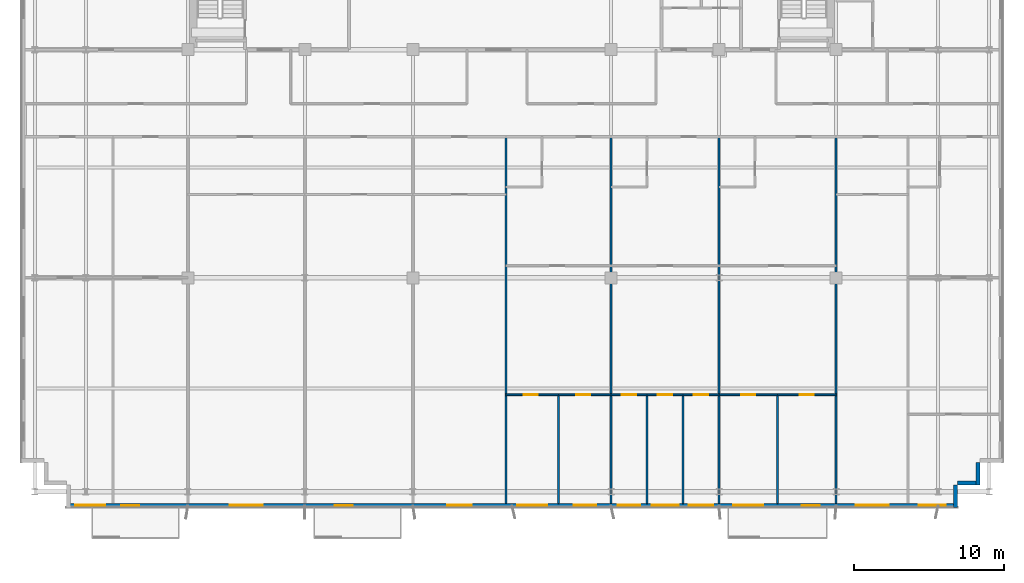
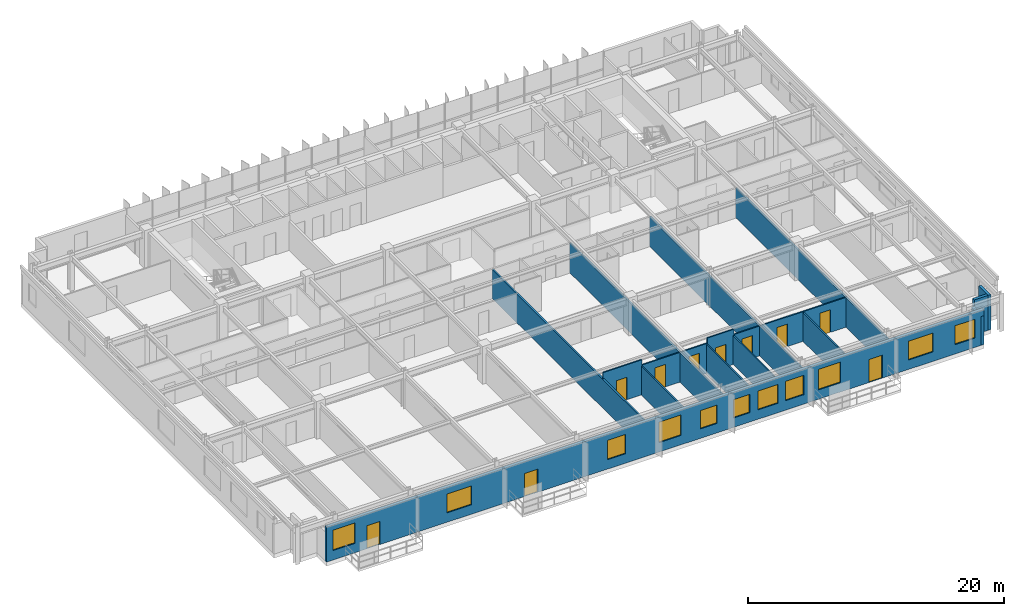
# One storey, part 15 of 22: 19 walls, 11 windows, 10 doors, 21 openings.
"""IFC4 building model written with IfcOpenShell, lengths in metres."""

from ifc_helpers import new_model, si_unit, direction, frame, frame_2d, origin, place, context, subcontext, project, spatial, rectangle, extrude, source, transform, mapped, material, layer, layer_set, type_object, element, fill, save


model = new_model("IFC4")

# Units and contexts
model_context = context("Model", 3, precision=1e-05, world=origin(), true_north=direction((0.0, 1.0)))
body_context = subcontext(model_context, "Body", "Model", "MODEL_VIEW")
ifc_project = project(units=[si_unit("LENGTHUNIT", "METRE"), si_unit("AREAUNIT", "SQUARE_METRE"), si_unit("VOLUMEUNIT", "CUBIC_METRE"), si_unit("PLANEANGLEUNIT", "RADIAN"), si_unit("MASSUNIT", "GRAM", prefix="KILO")], contexts=[model_context])

# Site, building, storey
site_placement = place(None, origin())
site = spatial("IfcSite", under=ifc_project, at=site_placement, CompositionType="ELEMENT")
building_placement = place(site_placement, origin())
building = spatial("IfcBuilding", under=site, at=building_placement, Name="Trelvane Seafront Commons", CompositionType="ELEMENT")
storey_placement = place(building_placement, frame((0.0, 0.0, 81.699951171875)))
storey = spatial("IfcBuildingStorey", under=building, at=storey_placement, Name="L20", CompositionType="ELEMENT", Elevation=81.699951171875)

# Walls
ifc_material_1 = material(Name="Precast concrete C40/50", Category="concrete")
ifc_layer_1 = layer(ifc_material_1, 0.260009765625, Name="ARCH-WALL-EXT260")
ifc_layer_set_1 = layer_set([ifc_layer_1], Name="Precast concrete C40/50")
wall_type_1 = type_object("IfcWallType", Name="ARCH-WALL-EXT260", PredefinedType="SOLIDWALL", material=ifc_layer_set_1)
for number, where, z_axis, x_axis, name in (
    (1, (68.27001953125, 5.89990234375, 0.0), (0.0, 0.0, 1.0), (0.0, -1.0, 0.0), "EW-L20-00365"),
    (2, (68.39990234375, 4.530029296875, 0.0), (0.0, 0.0, 1.0), (-1.0, 0.0, 0.0), "EW-L20-00366"),
):
    element("IfcWall", number, at=place(storey_placement, frame(where, z_axis=z_axis, x_axis=x_axis)), inside=storey, type_object=wall_type_1, Name=name, PredefinedType="SOLIDWALL", context=body_context, shape_type="SweptSolid", body=[
        extrude(rectangle(XDim=1.5, YDim=0.260009765625, at=frame_2d((0.75, 0.0))), origin(), (0.0, 0.0, 1.0), 3.340087890625),
    ])
wall_1_placement = place(storey_placement, frame((66.77001953125, 4.39990234375, 0.0), z_axis=(0.0, 0.0, 1.0), x_axis=(0.0, -1.0, 0.0)))
element("IfcWall", 3, at=wall_1_placement, inside=storey, type_object=wall_type_1, Name="EW-L20-00367", PredefinedType="SOLIDWALL", context=body_context, shape_type="SweptSolid", body=[
    extrude(rectangle(XDim=1.5, YDim=0.260009765625, at=frame_2d((0.75, 0.0))), origin(), (0.0, 0.0, 1.0), 2.751953125),
])

# Wall, openings, doors, windows
wall_2_placement = place(storey_placement, frame((66.89990234375, 3.030029296875, 0.0), z_axis=(0.0, 0.0, 1.0), x_axis=(-1.0, 0.0, 0.0)))
wall_2 = element("IfcWall", 4, at=wall_2_placement, inside=storey, type_object=wall_type_1, Name="EW-L20-00368", PredefinedType="SOLIDWALL", context=body_context, shape_type="SweptSolid", body=[
    extrude(rectangle(XDim=59.39990234375, YDim=0.260009765625, at=frame_2d((29.699951171875, 0.0))), origin(), (0.0, 0.0, 1.0), 3.340087890625),
])
opening_1_placement = place(wall_2_placement, frame((0.794921875, 0.0, 0.89990234375)))
opening_1 = element("IfcOpeningElement", 5, at=opening_1_placement, cuts=wall_2, Name="Opening W01", PredefinedType="OPENING", context=body_context, shape_type="SweptSolid", body=[
    extrude(rectangle(XDim=1.800048828125, YDim=1.800048828125, at=frame_2d((0.89990234375, 0.89990234375))), frame((0.0, 0.139892578125, 0.0), z_axis=(0.0, -1.0, 0.0), x_axis=(1.0, 0.0, 0.0)), (0.0, 0.0, 1.0), 0.280029296875),
])
opening_2_placement = place(wall_2_placement, frame((4.60009765625, 0.0, 0.89990234375)))
opening_2 = element("IfcOpeningElement", 6, at=opening_2_placement, cuts=wall_2, Name="Opening W02", PredefinedType="OPENING", context=body_context, shape_type="SweptSolid", body=[
    extrude(rectangle(XDim=2.199951171875, YDim=1.800048828125, at=frame_2d((1.10009765625, 0.89990234375))), frame((0.0, 0.139892578125, 0.0), z_axis=(0.0, -1.0, 0.0), x_axis=(1.0, 0.0, 0.0)), (0.0, 0.0, 1.0), 0.280029296875),
])
opening_3_placement = place(wall_2_placement, frame((9.179931640625, 0.0, 0.0)))
opening_3 = element("IfcOpeningElement", 7, at=opening_3_placement, cuts=wall_2, Name="Opening BD-L20-46", PredefinedType="OPENING", context=body_context, shape_type="SweptSolid", body=[
    extrude(rectangle(XDim=1.199951171875, YDim=2.199951171875, at=frame_2d((0.60009765625, 1.10009765625))), frame((0.0, 0.139892578125, 0.0), z_axis=(0.0, -1.0, 0.0), x_axis=(1.0, 0.0, 0.0)), (0.0, 0.0, 1.0), 0.280029296875),
])
opening_4_placement = place(wall_2_placement, frame((12.949951171875, 0.0, 0.89990234375)))
opening_4 = element("IfcOpeningElement", 8, at=opening_4_placement, cuts=wall_2, Name="Opening W06", PredefinedType="OPENING", context=body_context, shape_type="SweptSolid", body=[
    extrude(rectangle(XDim=2.0, YDim=1.949951171875, at=frame_2d((1.0, 0.97509765625))), frame((0.0, 0.139892578125, 0.0), z_axis=(0.0, -1.0, 0.0), x_axis=(1.0, 0.0, 0.0)), (0.0, 0.0, 1.0), 0.280029296875),
])
opening_5_placement = place(wall_2_placement, frame((16.27490234375, 0.0, 0.89990234375)))
opening_5 = element("IfcOpeningElement", 9, at=opening_5_placement, cuts=wall_2, Name="Opening W07", PredefinedType="OPENING", context=body_context, shape_type="SweptSolid", body=[
    extrude(rectangle(XDim=1.64990234375, YDim=1.85009765625, at=frame_2d((0.824951171875, 0.925048828125))), frame((0.0, 0.139892578125, 0.0), z_axis=(0.0, -1.0, 0.0), x_axis=(1.0, 0.0, 0.0)), (0.0, 0.0, 1.0), 0.280029296875),
])
opening_6_placement = place(wall_2_placement, frame((18.60009765625, 0.0, 0.89990234375)))
opening_6 = element("IfcOpeningElement", 10, at=opening_6_placement, cuts=wall_2, Name="Opening W01", PredefinedType="OPENING", context=body_context, shape_type="SweptSolid", body=[
    extrude(rectangle(XDim=1.800048828125, YDim=1.800048828125, at=frame_2d((0.89990234375, 0.89990234375))), frame((0.0, 0.139892578125, 0.0), z_axis=(0.0, -1.0, 0.0), x_axis=(1.0, 0.0, 0.0)), (0.0, 0.0, 1.0), 0.280029296875),
])
opening_7_placement = place(wall_2_placement, frame((21.14990234375, 0.0, 0.89990234375)))
opening_7 = element("IfcOpeningElement", 11, at=opening_7_placement, cuts=wall_2, Name="Opening W03", PredefinedType="OPENING", context=body_context, shape_type="SweptSolid", body=[
    extrude(rectangle(XDim=1.5, YDim=1.75, at=frame_2d((0.75, 0.875))), frame((0.0, 0.139892578125, 0.0), z_axis=(0.0, -1.0, 0.0), x_axis=(1.0, 0.0, 0.0)), (0.0, 0.0, 1.0), 0.280029296875),
])
opening_8_placement = place(wall_2_placement, frame((24.10009765625, 0.0, 0.89990234375)))
opening_8 = element("IfcOpeningElement", 12, at=opening_8_placement, cuts=wall_2, Name="Opening W03", PredefinedType="OPENING", context=body_context, shape_type="SweptSolid", body=[
    extrude(rectangle(XDim=1.5, YDim=1.75, at=frame_2d((0.75, 0.875))), frame((0.0, 0.139892578125, 0.0), z_axis=(0.0, -1.0, 0.0), x_axis=(1.0, 0.0, 0.0)), (0.0, 0.0, 1.0), 0.280029296875),
])
opening_9_placement = place(wall_2_placement, frame((27.35009765625, 0.0, 0.89990234375)))
opening_9 = element("IfcOpeningElement", 13, at=opening_9_placement, cuts=wall_2, Name="Opening W06", PredefinedType="OPENING", context=body_context, shape_type="SweptSolid", body=[
    extrude(rectangle(XDim=2.0, YDim=1.949951171875, at=frame_2d((1.0, 0.97509765625))), frame((0.0, 0.139892578125, 0.0), z_axis=(0.0, -1.0, 0.0), x_axis=(1.0, 0.0, 0.0)), (0.0, 0.0, 1.0), 0.280029296875),
])
opening_10_placement = place(wall_2_placement, frame((32.375, 0.0, 0.89990234375)))
opening_10 = element("IfcOpeningElement", 14, at=opening_10_placement, cuts=wall_2, Name="Opening W07", PredefinedType="OPENING", context=body_context, shape_type="SweptSolid", body=[
    extrude(rectangle(XDim=1.64990234375, YDim=1.85009765625, at=frame_2d((0.824951171875, 0.925048828125))), frame((0.0, 0.139892578125, 0.0), z_axis=(0.0, -1.0, 0.0), x_axis=(1.0, 0.0, 0.0)), (0.0, 0.0, 1.0), 0.280029296875),
])
opening_11_placement = place(wall_2_placement, frame((40.301025390625, 0.0, 0.0)))
opening_11 = element("IfcOpeningElement", 15, at=opening_11_placement, cuts=wall_2, Name="Opening BD-L20-47", PredefinedType="OPENING", context=body_context, shape_type="SweptSolid", body=[
    extrude(rectangle(XDim=1.199951171875, YDim=2.199951171875, at=frame_2d((0.60009765625, 1.10009765625))), frame((0.0, 0.139892578125, 0.0), z_axis=(0.0, -1.0, 0.0), x_axis=(1.0, 0.0, 0.0)), (0.0, 0.0, 1.0), 0.280029296875),
])
opening_12_placement = place(wall_2_placement, frame((46.300048828125, 0.0, 0.89990234375)))
opening_12 = element("IfcOpeningElement", 16, at=opening_12_placement, cuts=wall_2, Name="Opening W02", PredefinedType="OPENING", context=body_context, shape_type="SweptSolid", body=[
    extrude(rectangle(XDim=2.199951171875, YDim=1.800048828125, at=frame_2d((1.10009765625, 0.89990234375))), frame((0.0, 0.139892578125, 0.0), z_axis=(0.0, -1.0, 0.0), x_axis=(1.0, 0.0, 0.0)), (0.0, 0.0, 1.0), 0.280029296875),
])
opening_13_placement = place(wall_2_placement, frame((54.55810546875, 0.0, 0.0)))
opening_13 = element("IfcOpeningElement", 17, at=opening_13_placement, cuts=wall_2, Name="Opening BD-L20-48", PredefinedType="OPENING", context=body_context, shape_type="SweptSolid", body=[
    extrude(rectangle(XDim=1.199951171875, YDim=2.199951171875, at=frame_2d((0.60009765625, 1.10009765625))), frame((0.0, 0.139892578125, 0.0), z_axis=(0.0, -1.0, 0.0), x_axis=(1.0, 0.0, 0.0)), (0.0, 0.0, 1.0), 0.280029296875),
])
opening_14_placement = place(wall_2_placement, frame((56.804931640625, 0.0, 0.89990234375)))
opening_14 = element("IfcOpeningElement", 18, at=opening_14_placement, cuts=wall_2, Name="Opening W06", PredefinedType="OPENING", context=body_context, shape_type="SweptSolid", body=[
    extrude(rectangle(XDim=2.0, YDim=1.949951171875, at=frame_2d((1.0, 0.97509765625))), frame((0.0, 0.139892578125, 0.0), z_axis=(0.0, -1.0, 0.0), x_axis=(1.0, 0.0, 0.0)), (0.0, 0.0, 1.0), 0.280029296875),
])
ifc_material_2 = material(Name="Powder-coated aluminium frame", Category="aluminium")
door_type_1 = type_object("IfcDoorType", Name="ARCH-DR-BAL1200", OperationType="NOTDEFINED", PredefinedType="DOOR", material=ifc_material_2)
shared_shape_1 = source(origin(), body_context, "Body", "SweptSolid", [
    extrude(rectangle(XDim=1.199951171875, YDim=2.199951171875, at=frame_2d((0.60009765625, 1.10009765625))), frame((0.0, 0.02490234375, 0.0), z_axis=(0.0, -1.0, 0.0), x_axis=(1.0, 0.0, 0.0)), (0.0, 0.0, 1.0), 0.050048828125),
])
door_1_placement = place(opening_3_placement, origin())
door_1 = element("IfcDoor", 19, at=door_1_placement, inside=storey, type_object=door_type_1, Name="L20 Balcony Terrace Access Door", OperationType="SINGLE_SWING_LEFT", OverallHeight=2.199951171875, OverallWidth=1.199951171875, PredefinedType="DOOR", context=body_context, shape_type="MappedRepresentation", body=[
    mapped(shared_shape_1, transform((0.0, 0.0, 0.0), x_axis=(1.0, 0.0, 0.0), y_axis=(0.0, 1.0, 0.0), z_axis=(0.0, 0.0, 1.0), scale=1.0)),
])
fill(opening_3, door_1)
door_2_placement = place(opening_11_placement, origin())
door_2 = element("IfcDoor", 20, at=door_2_placement, inside=storey, type_object=door_type_1, Name="L20 Balcony Terrace Access Door", OperationType="SINGLE_SWING_LEFT", OverallHeight=2.199951171875, OverallWidth=1.199951171875, PredefinedType="DOOR", context=body_context, shape_type="MappedRepresentation", body=[
    mapped(shared_shape_1, transform((0.0, 0.0, 0.0), x_axis=(1.0, 0.0, 0.0), y_axis=(0.0, 1.0, 0.0), z_axis=(0.0, 0.0, 1.0), scale=1.0)),
])
fill(opening_11, door_2)
door_3_placement = place(opening_13_placement, origin())
door_3 = element("IfcDoor", 21, at=door_3_placement, inside=storey, type_object=door_type_1, Name="L20 Balcony Terrace Access Door", OperationType="SINGLE_SWING_LEFT", OverallHeight=2.199951171875, OverallWidth=1.199951171875, PredefinedType="DOOR", context=body_context, shape_type="MappedRepresentation", body=[
    mapped(shared_shape_1, transform((0.0, 0.0, 0.0), x_axis=(1.0, 0.0, 0.0), y_axis=(0.0, 1.0, 0.0), z_axis=(0.0, 0.0, 1.0), scale=1.0)),
])
fill(opening_13, door_3)
ifc_material_3 = material(Name="Low-E coastal double glazing", Category="glass")
window_type_1 = type_object("IfcWindowType", Name="ARCH-WIN-W02", PartitioningType="SINGLE_PANEL", PredefinedType="WINDOW", material=ifc_material_3)
shared_shape_2 = source(origin(), body_context, "Body", "SweptSolid", [
    extrude(rectangle(XDim=2.199951171875, YDim=1.800048828125, at=frame_2d((1.10009765625, 0.89990234375))), frame((0.0, 0.030029296875, 0.0), z_axis=(0.0, -1.0, 0.0), x_axis=(1.0, 0.0, 0.0)), (0.0, 0.0, 1.0), 0.06005859375),
])
window_1_placement = place(opening_2_placement, origin())
window_1 = element("IfcWindow", 22, at=window_1_placement, inside=storey, type_object=window_type_1, Name="WIN-L20-00412", OverallHeight=1.800048828125, OverallWidth=2.199951171875, PartitioningType="SINGLE_PANEL", PredefinedType="WINDOW", context=body_context, shape_type="MappedRepresentation", body=[
    mapped(shared_shape_2, transform((0.0, 0.0, 0.0), x_axis=(1.0, 0.0, 0.0), y_axis=(0.0, 1.0, 0.0), z_axis=(0.0, 0.0, 1.0), scale=1.0)),
])
fill(opening_2, window_1)
window_2_placement = place(opening_12_placement, origin())
window_2 = element("IfcWindow", 23, at=window_2_placement, inside=storey, type_object=window_type_1, Name="WIN-L20-00420", OverallHeight=1.800048828125, OverallWidth=2.199951171875, PartitioningType="SINGLE_PANEL", PredefinedType="WINDOW", context=body_context, shape_type="MappedRepresentation", body=[
    mapped(shared_shape_2, transform((0.0, 0.0, 0.0), x_axis=(1.0, 0.0, 0.0), y_axis=(0.0, 1.0, 0.0), z_axis=(0.0, 0.0, 1.0), scale=1.0)),
])
fill(opening_12, window_2)
window_type_2 = type_object("IfcWindowType", Name="ARCH-WIN-W03", PartitioningType="SINGLE_PANEL", PredefinedType="WINDOW", material=ifc_material_3)
shared_shape_3 = source(origin(), body_context, "Body", "SweptSolid", [
    extrude(rectangle(XDim=1.5, YDim=1.75, at=frame_2d((0.75, 0.875))), frame((0.0, 0.030029296875, 0.0), z_axis=(0.0, -1.0, 0.0), x_axis=(1.0, 0.0, 0.0)), (0.0, 0.0, 1.0), 0.06005859375),
])
window_3_placement = place(opening_7_placement, origin())
window_3 = element("IfcWindow", 24, at=window_3_placement, inside=storey, type_object=window_type_2, Name="WIN-L20-00416", OverallHeight=1.75, OverallWidth=1.5, PartitioningType="SINGLE_PANEL", PredefinedType="WINDOW", context=body_context, shape_type="MappedRepresentation", body=[
    mapped(shared_shape_3, transform((0.0, 0.0, 0.0), x_axis=(1.0, 0.0, 0.0), y_axis=(0.0, 1.0, 0.0), z_axis=(0.0, 0.0, 1.0), scale=1.0)),
])
fill(opening_7, window_3)
window_4_placement = place(opening_8_placement, origin())
window_4 = element("IfcWindow", 25, at=window_4_placement, inside=storey, type_object=window_type_2, Name="WIN-L20-00417", OverallHeight=1.75, OverallWidth=1.5, PartitioningType="SINGLE_PANEL", PredefinedType="WINDOW", context=body_context, shape_type="MappedRepresentation", body=[
    mapped(shared_shape_3, transform((0.0, 0.0, 0.0), x_axis=(1.0, 0.0, 0.0), y_axis=(0.0, 1.0, 0.0), z_axis=(0.0, 0.0, 1.0), scale=1.0)),
])
fill(opening_8, window_4)
window_type_3 = type_object("IfcWindowType", Name="ARCH-WIN-W06", PartitioningType="SINGLE_PANEL", PredefinedType="WINDOW", material=ifc_material_3)
shared_shape_4 = source(origin(), body_context, "Body", "SweptSolid", [
    extrude(rectangle(XDim=2.0, YDim=1.949951171875, at=frame_2d((1.0, 0.97509765625))), frame((0.0, 0.030029296875, 0.0), z_axis=(0.0, -1.0, 0.0), x_axis=(1.0, 0.0, 0.0)), (0.0, 0.0, 1.0), 0.06005859375),
])
window_5_placement = place(opening_4_placement, origin())
window_5 = element("IfcWindow", 26, at=window_5_placement, inside=storey, type_object=window_type_3, Name="WIN-L20-00413", OverallHeight=1.949951171875, OverallWidth=2.0, PartitioningType="SINGLE_PANEL", PredefinedType="WINDOW", context=body_context, shape_type="MappedRepresentation", body=[
    mapped(shared_shape_4, transform((0.0, 0.0, 0.0), x_axis=(1.0, 0.0, 0.0), y_axis=(0.0, 1.0, 0.0), z_axis=(0.0, 0.0, 1.0), scale=1.0)),
])
fill(opening_4, window_5)
window_6_placement = place(opening_9_placement, origin())
window_6 = element("IfcWindow", 27, at=window_6_placement, inside=storey, type_object=window_type_3, Name="WIN-L20-00418", OverallHeight=1.949951171875, OverallWidth=2.0, PartitioningType="SINGLE_PANEL", PredefinedType="WINDOW", context=body_context, shape_type="MappedRepresentation", body=[
    mapped(shared_shape_4, transform((0.0, 0.0, 0.0), x_axis=(1.0, 0.0, 0.0), y_axis=(0.0, 1.0, 0.0), z_axis=(0.0, 0.0, 1.0), scale=1.0)),
])
fill(opening_9, window_6)
window_7_placement = place(opening_14_placement, origin())
window_7 = element("IfcWindow", 28, at=window_7_placement, inside=storey, type_object=window_type_3, Name="WIN-L20-00421", OverallHeight=1.949951171875, OverallWidth=2.0, PartitioningType="SINGLE_PANEL", PredefinedType="WINDOW", context=body_context, shape_type="MappedRepresentation", body=[
    mapped(shared_shape_4, transform((0.0, 0.0, 0.0), x_axis=(1.0, 0.0, 0.0), y_axis=(0.0, 1.0, 0.0), z_axis=(0.0, 0.0, 1.0), scale=1.0)),
])
fill(opening_14, window_7)
window_type_4 = type_object("IfcWindowType", Name="ARCH-WIN-W01", PartitioningType="SINGLE_PANEL", PredefinedType="WINDOW", material=ifc_material_3)
shared_shape_5 = source(origin(), body_context, "Body", "SweptSolid", [
    extrude(rectangle(XDim=1.800048828125, YDim=1.800048828125, at=frame_2d((0.89990234375, 0.89990234375))), frame((0.0, 0.030029296875, 0.0), z_axis=(0.0, -1.0, 0.0), x_axis=(1.0, 0.0, 0.0)), (0.0, 0.0, 1.0), 0.06005859375),
])
window_8_placement = place(opening_1_placement, origin())
window_8 = element("IfcWindow", 29, at=window_8_placement, inside=storey, type_object=window_type_4, Name="WIN-L20-00411", OverallHeight=1.800048828125, OverallWidth=1.800048828125, PartitioningType="SINGLE_PANEL", PredefinedType="WINDOW", context=body_context, shape_type="MappedRepresentation", body=[
    mapped(shared_shape_5, transform((0.0, 0.0, 0.0), x_axis=(1.0, 0.0, 0.0), y_axis=(0.0, 1.0, 0.0), z_axis=(0.0, 0.0, 1.0), scale=1.0)),
])
fill(opening_1, window_8)
window_9_placement = place(opening_6_placement, origin())
window_9 = element("IfcWindow", 30, at=window_9_placement, inside=storey, type_object=window_type_4, Name="WIN-L20-00415", OverallHeight=1.800048828125, OverallWidth=1.800048828125, PartitioningType="SINGLE_PANEL", PredefinedType="WINDOW", context=body_context, shape_type="MappedRepresentation", body=[
    mapped(shared_shape_5, transform((0.0, 0.0, 0.0), x_axis=(1.0, 0.0, 0.0), y_axis=(0.0, 1.0, 0.0), z_axis=(0.0, 0.0, 1.0), scale=1.0)),
])
fill(opening_6, window_9)
window_type_5 = type_object("IfcWindowType", Name="ARCH-WIN-W07", PartitioningType="SINGLE_PANEL", PredefinedType="WINDOW", material=ifc_material_3)
shared_shape_6 = source(origin(), body_context, "Body", "SweptSolid", [
    extrude(rectangle(XDim=1.64990234375, YDim=1.85009765625, at=frame_2d((0.824951171875, 0.925048828125))), frame((0.0, 0.030029296875, 0.0), z_axis=(0.0, -1.0, 0.0), x_axis=(1.0, 0.0, 0.0)), (0.0, 0.0, 1.0), 0.06005859375),
])
window_10_placement = place(opening_5_placement, origin())
window_10 = element("IfcWindow", 31, at=window_10_placement, inside=storey, type_object=window_type_5, Name="WIN-L20-00414", OverallHeight=1.85009765625, OverallWidth=1.64990234375, PartitioningType="SINGLE_PANEL", PredefinedType="WINDOW", context=body_context, shape_type="MappedRepresentation", body=[
    mapped(shared_shape_6, transform((0.0, 0.0, 0.0), x_axis=(1.0, 0.0, 0.0), y_axis=(0.0, 1.0, 0.0), z_axis=(0.0, 0.0, 1.0), scale=1.0)),
])
fill(opening_5, window_10)
window_11_placement = place(opening_10_placement, origin())
window_11 = element("IfcWindow", 32, at=window_11_placement, inside=storey, type_object=window_type_5, Name="WIN-L20-00419", OverallHeight=1.85009765625, OverallWidth=1.64990234375, PartitioningType="SINGLE_PANEL", PredefinedType="WINDOW", context=body_context, shape_type="MappedRepresentation", body=[
    mapped(shared_shape_6, transform((0.0, 0.0, 0.0), x_axis=(1.0, 0.0, 0.0), y_axis=(0.0, 1.0, 0.0), z_axis=(0.0, 0.0, 1.0), scale=1.0)),
])
fill(opening_10, window_11)

# Wall, opening, door
ifc_material_4 = material(Name="Gypsum Drywall Acoustic Partition")
ifc_layer_2 = layer(ifc_material_4, 0.1201171875, Name="ARCH-WALL-PART120")
ifc_layer_set_2 = layer_set([ifc_layer_2], Name="Gypsum Drywall Acoustic Partition")
wall_type_2 = type_object("IfcWallType", Name="ARCH-WALL-PART120", PredefinedType="PARTITIONING", material=ifc_layer_set_2)
wall_3_placement = place(storey_placement, frame((36.800048828125, 10.39990234375, 0.0), z_axis=(0.0, 0.0, 1.0), x_axis=(1.0, 0.0, 0.0)))
wall_3 = element("IfcWall", 33, at=wall_3_placement, inside=storey, type_object=wall_type_2, Name="W-L20-U6-YM-1-083", PredefinedType="PARTITIONING", context=body_context, shape_type="SweptSolid", body=[
    extrude(rectangle(XDim=3.5, YDim=0.1201171875, at=frame_2d((1.75, 0.0))), origin(), (0.0, 0.0, 1.0), 3.340087890625),
])
opening_15_placement = place(wall_3_placement, frame((1.176025390625, 0.0, 0.0)))
opening_15 = element("IfcOpeningElement", 34, at=opening_15_placement, cuts=wall_3, Name="Opening D-L20-45", PredefinedType="OPENING", context=body_context, shape_type="SweptSolid", body=[
    extrude(rectangle(XDim=0.949951171875, YDim=2.14990234375, at=frame_2d((0.47509765625, 1.074951171875))), frame((0.0, 0.070068359375, 0.0), z_axis=(0.0, -1.0, 0.0), x_axis=(1.0, 0.0, 0.0)), (0.0, 0.0, 1.0), 0.14013671875),
])
ifc_material_5 = material(Name="Acoustic timber door leaf", Category="wood")
door_type_2 = type_object("IfcDoorType", Name="ARCH-DR-INT950", OperationType="NOTDEFINED", PredefinedType="DOOR", material=ifc_material_5)
shared_shape_7 = source(origin(), body_context, "Body", "SweptSolid", [
    extrude(rectangle(XDim=0.949951171875, YDim=2.14990234375, at=frame_2d((0.47509765625, 1.074951171875))), frame((0.0, 0.02490234375, 0.0), z_axis=(0.0, -1.0, 0.0), x_axis=(1.0, 0.0, 0.0)), (0.0, 0.0, 1.0), 0.050048828125),
])
door_4_placement = place(opening_15_placement, origin())
door_4 = element("IfcDoor", 35, at=door_4_placement, inside=storey, type_object=door_type_2, Name="L20 Door 45", OperationType="SINGLE_SWING_LEFT", OverallHeight=2.14990234375, OverallWidth=0.949951171875, PredefinedType="DOOR", context=body_context, shape_type="MappedRepresentation", body=[
    mapped(shared_shape_7, transform((0.0, 0.0, 0.0), x_axis=(1.0, 0.0, 0.0), y_axis=(0.0, 1.0, 0.0), z_axis=(0.0, 0.0, 1.0), scale=1.0)),
])
fill(opening_15, door_4)

wall_4_placement = place(storey_placement, frame((40.300048828125, 10.39990234375, 0.0), z_axis=(0.0, 0.0, 1.0), x_axis=(1.0, 0.0, 0.0)))
wall_4 = element("IfcWall", 36, at=wall_4_placement, inside=storey, type_object=wall_type_2, Name="W-L20-U6-YM-2-084", PredefinedType="PARTITIONING", context=body_context, shape_type="SweptSolid", body=[
    extrude(rectangle(XDim=3.5, YDim=0.1201171875, at=frame_2d((1.75, 0.0))), origin(), (0.0, 0.0, 1.0), 2.840087890625),
])
opening_16_placement = place(wall_4_placement, frame((1.176025390625, 0.0, 0.0)))
opening_16 = element("IfcOpeningElement", 37, at=opening_16_placement, cuts=wall_4, Name="Opening D-L20-46", PredefinedType="OPENING", context=body_context, shape_type="SweptSolid", body=[
    extrude(rectangle(XDim=0.949951171875, YDim=2.14990234375, at=frame_2d((0.47509765625, 1.074951171875))), frame((0.0, 0.070068359375, 0.0), z_axis=(0.0, -1.0, 0.0), x_axis=(1.0, 0.0, 0.0)), (0.0, 0.0, 1.0), 0.14013671875),
])
door_5_placement = place(opening_16_placement, origin())
door_5 = element("IfcDoor", 38, at=door_5_placement, inside=storey, type_object=door_type_2, Name="L20 Door 46", OperationType="SINGLE_SWING_RIGHT", OverallHeight=2.14990234375, OverallWidth=0.949951171875, PredefinedType="DOOR", context=body_context, shape_type="MappedRepresentation", body=[
    mapped(shared_shape_7, transform((0.0, 0.0, 0.0), x_axis=(1.0, 0.0, 0.0), y_axis=(0.0, 1.0, 0.0), z_axis=(0.0, 0.0, 1.0), scale=1.0)),
])
fill(opening_16, door_5)

# Wall
wall_5_placement = place(storey_placement, frame((40.300048828125, 3.14501953125, 0.0), z_axis=(0.0, 0.0, 1.0), x_axis=(0.0, 1.0, 0.0)))
element("IfcWall", 39, at=wall_5_placement, inside=storey, type_object=wall_type_2, Name="W-L20-U6-BDV-1-085", PredefinedType="PARTITIONING", context=body_context, shape_type="SweptSolid", body=[
    extrude(rectangle(XDim=7.2548828125, YDim=0.1201171875, at=frame_2d((3.62744140625, 0.0))), origin(), (0.0, 0.0, 1.0), 2.751953125),
])

# Wall, opening, door
wall_6_placement = place(storey_placement, frame((43.800048828125, 10.39990234375, 0.0), z_axis=(0.0, 0.0, 1.0), x_axis=(1.0, 0.0, 0.0)))
wall_6 = element("IfcWall", 40, at=wall_6_placement, inside=storey, type_object=wall_type_2, Name="W-L20-U7-YM-1-090", PredefinedType="PARTITIONING", context=body_context, shape_type="SweptSolid", body=[
    extrude(rectangle(XDim=2.39990234375, YDim=0.1201171875, at=frame_2d((1.199951171875, 0.0))), origin(), (0.0, 0.0, 1.0), 2.840087890625),
])
opening_17_placement = place(wall_6_placement, frame((0.72509765625, 0.0, 0.0)))
opening_17 = element("IfcOpeningElement", 41, at=opening_17_placement, cuts=wall_6, Name="Opening D-L20-50", PredefinedType="OPENING", context=body_context, shape_type="SweptSolid", body=[
    extrude(rectangle(XDim=0.949951171875, YDim=2.14990234375, at=frame_2d((0.47509765625, 1.074951171875))), frame((0.0, 0.070068359375, 0.0), z_axis=(0.0, -1.0, 0.0), x_axis=(1.0, 0.0, 0.0)), (0.0, 0.0, 1.0), 0.14013671875),
])
door_6_placement = place(opening_17_placement, origin())
door_6 = element("IfcDoor", 42, at=door_6_placement, inside=storey, type_object=door_type_2, Name="L20 Door 50", OperationType="SINGLE_SWING_RIGHT", OverallHeight=2.14990234375, OverallWidth=0.949951171875, PredefinedType="DOOR", context=body_context, shape_type="MappedRepresentation", body=[
    mapped(shared_shape_7, transform((0.0, 0.0, 0.0), x_axis=(1.0, 0.0, 0.0), y_axis=(0.0, 1.0, 0.0), z_axis=(0.0, 0.0, 1.0), scale=1.0)),
])
fill(opening_17, door_6)

wall_7_placement = place(storey_placement, frame((46.199951171875, 10.39990234375, 0.0), z_axis=(0.0, 0.0, 1.0), x_axis=(1.0, 0.0, 0.0)))
wall_7 = element("IfcWall", 43, at=wall_7_placement, inside=storey, type_object=wall_type_2, Name="W-L20-U7-YM-2-091", PredefinedType="PARTITIONING", context=body_context, shape_type="SweptSolid", body=[
    extrude(rectangle(XDim=2.400146484375, YDim=0.1201171875, at=frame_2d((1.2001953125, 0.0))), origin(), (0.0, 0.0, 1.0), 3.340087890625),
])
opening_18_placement = place(wall_7_placement, frame((0.72509765625, 0.0, 0.0)))
opening_18 = element("IfcOpeningElement", 44, at=opening_18_placement, cuts=wall_7, Name="Opening D-L20-51", PredefinedType="OPENING", context=body_context, shape_type="SweptSolid", body=[
    extrude(rectangle(XDim=0.949951171875, YDim=2.14990234375, at=frame_2d((0.47509765625, 1.074951171875))), frame((0.0, 0.070068359375, 0.0), z_axis=(0.0, -1.0, 0.0), x_axis=(1.0, 0.0, 0.0)), (0.0, 0.0, 1.0), 0.14013671875),
])
door_7_placement = place(opening_18_placement, origin())
door_7 = element("IfcDoor", 45, at=door_7_placement, inside=storey, type_object=door_type_2, Name="L20 Door 51", OperationType="SINGLE_SWING_LEFT", OverallHeight=2.14990234375, OverallWidth=0.949951171875, PredefinedType="DOOR", context=body_context, shape_type="MappedRepresentation", body=[
    mapped(shared_shape_7, transform((0.0, 0.0, 0.0), x_axis=(1.0, 0.0, 0.0), y_axis=(0.0, 1.0, 0.0), z_axis=(0.0, 0.0, 1.0), scale=1.0)),
])
fill(opening_18, door_7)

# Wall
wall_8_placement = place(storey_placement, frame((46.199951171875, 3.14501953125, 0.0), z_axis=(0.0, 0.0, 1.0), x_axis=(0.0, 1.0, 0.0)))
element("IfcWall", 46, at=wall_8_placement, inside=storey, type_object=wall_type_2, Name="W-L20-U7-BDV-1-092", PredefinedType="PARTITIONING", context=body_context, shape_type="SweptSolid", body=[
    extrude(rectangle(XDim=7.2548828125, YDim=0.1201171875, at=frame_2d((3.62744140625, 0.0))), origin(), (0.0, 0.0, 1.0), 2.751953125),
])

# Wall, opening, door
wall_9_placement = place(storey_placement, frame((48.60009765625, 10.39990234375, 0.0), z_axis=(0.0, 0.0, 1.0), x_axis=(1.0, 0.0, 0.0)))
wall_9 = element("IfcWall", 47, at=wall_9_placement, inside=storey, type_object=wall_type_2, Name="W-L20-U7-YM-3-093", PredefinedType="PARTITIONING", context=body_context, shape_type="SweptSolid", body=[
    extrude(rectangle(XDim=2.39990234375, YDim=0.1201171875, at=frame_2d((1.199951171875, 0.0))), origin(), (0.0, 0.0, 1.0), 2.840087890625),
])
opening_19_placement = place(wall_9_placement, frame((0.72509765625, 0.0, 0.0)))
opening_19 = element("IfcOpeningElement", 48, at=opening_19_placement, cuts=wall_9, Name="Opening D-L20-52", PredefinedType="OPENING", context=body_context, shape_type="SweptSolid", body=[
    extrude(rectangle(XDim=0.949951171875, YDim=2.14990234375, at=frame_2d((0.47509765625, 1.074951171875))), frame((0.0, 0.070068359375, 0.0), z_axis=(0.0, -1.0, 0.0), x_axis=(1.0, 0.0, 0.0)), (0.0, 0.0, 1.0), 0.14013671875),
])
door_8_placement = place(opening_19_placement, origin())
door_8 = element("IfcDoor", 49, at=door_8_placement, inside=storey, type_object=door_type_2, Name="L20 Door 52", OperationType="SINGLE_SWING_RIGHT", OverallHeight=2.14990234375, OverallWidth=0.949951171875, PredefinedType="DOOR", context=body_context, shape_type="MappedRepresentation", body=[
    mapped(shared_shape_7, transform((0.0, 0.0, 0.0), x_axis=(1.0, 0.0, 0.0), y_axis=(0.0, 1.0, 0.0), z_axis=(0.0, 0.0, 1.0), scale=1.0)),
])
fill(opening_19, door_8)

# Wall
wall_10_placement = place(storey_placement, frame((48.60009765625, 3.14501953125, 0.0), z_axis=(0.0, 0.0, 1.0), x_axis=(0.0, 1.0, 0.0)))
element("IfcWall", 50, at=wall_10_placement, inside=storey, type_object=wall_type_2, Name="W-L20-U7-BDV-2-094", PredefinedType="PARTITIONING", context=body_context, shape_type="SweptSolid", body=[
    extrude(rectangle(XDim=7.2548828125, YDim=0.1201171875, at=frame_2d((3.62744140625, 0.0))), origin(), (0.0, 0.0, 1.0), 2.751953125),
])

# Wall, opening, door
wall_11_placement = place(storey_placement, frame((51.0, 10.39990234375, 0.0), z_axis=(0.0, 0.0, 1.0), x_axis=(1.0, 0.0, 0.0)))
wall_11 = element("IfcWall", 51, at=wall_11_placement, inside=storey, type_object=wall_type_2, Name="W-L20-U8-YM-1-099", PredefinedType="PARTITIONING", context=body_context, shape_type="SweptSolid", body=[
    extrude(rectangle(XDim=3.89990234375, YDim=0.1201171875, at=frame_2d((1.949951171875, 0.0))), origin(), (0.0, 0.0, 1.0), 2.840087890625),
])
opening_20_placement = place(wall_11_placement, frame((1.47509765625, 0.0, 0.0)))
opening_20 = element("IfcOpeningElement", 52, at=opening_20_placement, cuts=wall_11, Name="Opening D-L20-56", PredefinedType="OPENING", context=body_context, shape_type="SweptSolid", body=[
    extrude(rectangle(XDim=0.949951171875, YDim=2.14990234375, at=frame_2d((0.47509765625, 1.074951171875))), frame((0.0, 0.070068359375, 0.0), z_axis=(0.0, -1.0, 0.0), x_axis=(1.0, 0.0, 0.0)), (0.0, 0.0, 1.0), 0.14013671875),
])
door_9_placement = place(opening_20_placement, origin())
door_9 = element("IfcDoor", 53, at=door_9_placement, inside=storey, type_object=door_type_2, Name="L20 Door 56", OperationType="SINGLE_SWING_RIGHT", OverallHeight=2.14990234375, OverallWidth=0.949951171875, PredefinedType="DOOR", context=body_context, shape_type="MappedRepresentation", body=[
    mapped(shared_shape_7, transform((0.0, 0.0, 0.0), x_axis=(1.0, 0.0, 0.0), y_axis=(0.0, 1.0, 0.0), z_axis=(0.0, 0.0, 1.0), scale=1.0)),
])
fill(opening_20, door_9)

wall_12_placement = place(storey_placement, frame((54.89990234375, 10.39990234375, 0.0), z_axis=(0.0, 0.0, 1.0), x_axis=(1.0, 0.0, 0.0)))
wall_12 = element("IfcWall", 54, at=wall_12_placement, inside=storey, type_object=wall_type_2, Name="W-L20-U8-YM-2-100", PredefinedType="PARTITIONING", context=body_context, shape_type="SweptSolid", body=[
    extrude(rectangle(XDim=3.900146484375, YDim=0.1201171875, at=frame_2d((1.9501953125, 0.0))), origin(), (0.0, 0.0, 1.0), 2.840087890625),
])
opening_21_placement = place(wall_12_placement, frame((1.47509765625, 0.0, 0.0)))
opening_21 = element("IfcOpeningElement", 55, at=opening_21_placement, cuts=wall_12, Name="Opening D-L20-57", PredefinedType="OPENING", context=body_context, shape_type="SweptSolid", body=[
    extrude(rectangle(XDim=0.949951171875, YDim=2.14990234375, at=frame_2d((0.47509765625, 1.074951171875))), frame((0.0, 0.070068359375, 0.0), z_axis=(0.0, -1.0, 0.0), x_axis=(1.0, 0.0, 0.0)), (0.0, 0.0, 1.0), 0.14013671875),
])
door_10_placement = place(opening_21_placement, origin())
door_10 = element("IfcDoor", 56, at=door_10_placement, inside=storey, type_object=door_type_2, Name="L20 Door 57", OperationType="SINGLE_SWING_LEFT", OverallHeight=2.14990234375, OverallWidth=0.949951171875, PredefinedType="DOOR", context=body_context, shape_type="MappedRepresentation", body=[
    mapped(shared_shape_7, transform((0.0, 0.0, 0.0), x_axis=(1.0, 0.0, 0.0), y_axis=(0.0, 1.0, 0.0), z_axis=(0.0, 0.0, 1.0), scale=1.0)),
])
fill(opening_21, door_10)

# Walls
wall_13_placement = place(storey_placement, frame((54.89990234375, 3.14501953125, 0.0), z_axis=(0.0, 0.0, 1.0), x_axis=(0.0, 1.0, 0.0)))
element("IfcWall", 57, at=wall_13_placement, inside=storey, type_object=wall_type_2, Name="W-L20-U8-BDV-1-101", PredefinedType="PARTITIONING", context=body_context, shape_type="SweptSolid", body=[
    extrude(rectangle(XDim=7.2548828125, YDim=0.1201171875, at=frame_2d((3.62744140625, 0.0))), origin(), (0.0, 0.0, 1.0), 2.751953125),
])
ifc_layer_3 = layer(ifc_material_4, 0.14990234375, Name="ARCH-WALL-PART150")
ifc_layer_set_3 = layer_set([ifc_layer_3], Name="Gypsum Drywall Acoustic Partition")
wall_type_3 = type_object("IfcWallType", Name="ARCH-WALL-PART150", PredefinedType="PARTITIONING", material=ifc_layer_set_3)
wall_14_placement = place(storey_placement, frame((36.800048828125, 3.14501953125, 0.0), z_axis=(0.0, 0.0, 1.0), x_axis=(0.0, 1.0, 0.0)))
element("IfcWall", 58, at=wall_14_placement, inside=storey, type_object=wall_type_3, Name="W-L20-PW-5-064", PredefinedType="PARTITIONING", context=body_context, shape_type="SweptSolid", body=[
    extrude(rectangle(XDim=24.455078125, YDim=0.14990234375, at=frame_2d((12.2275390625, 0.0))), origin(), (0.0, 0.0, 1.0), 2.751953125),
])
for number, where, z_axis, x_axis, name in (
    (59, (43.800048828125, 3.14501953125, 0.0), (0.0, 0.0, 1.0), (0.0, 1.0, 0.0), "W-L20-PW-6-065"),
    (60, (51.0, 3.14501953125, 0.0), (0.0, 0.0, 1.0), (0.0, 1.0, 0.0), "W-L20-PW-7-066"),
    (61, (58.800048828125, 3.14501953125, 0.0), (0.0, 0.0, 1.0), (0.0, 1.0, 0.0), "W-L20-PW-8-067"),
):
    element("IfcWall", number, at=place(storey_placement, frame(where, z_axis=z_axis, x_axis=x_axis)), inside=storey, type_object=wall_type_3, Name=name, PredefinedType="PARTITIONING", context=body_context, shape_type="SweptSolid", body=[
        extrude(rectangle(XDim=24.455078125, YDim=0.14990234375, at=frame_2d((12.2275390625, 0.0))), origin(), (0.0, 0.0, 1.0), 2.840087890625),
    ])

save(model, "model.ifc")
